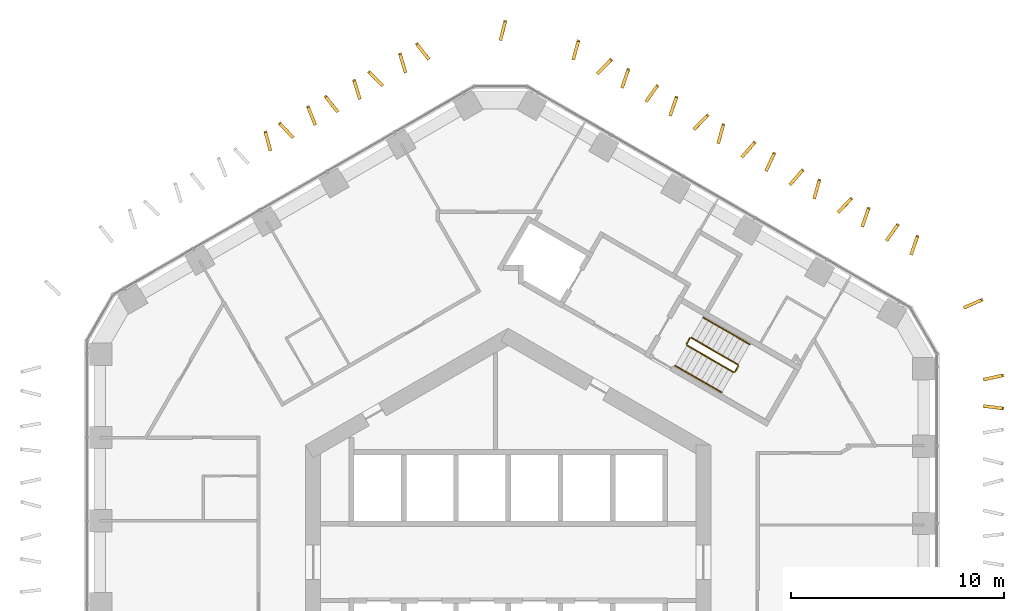
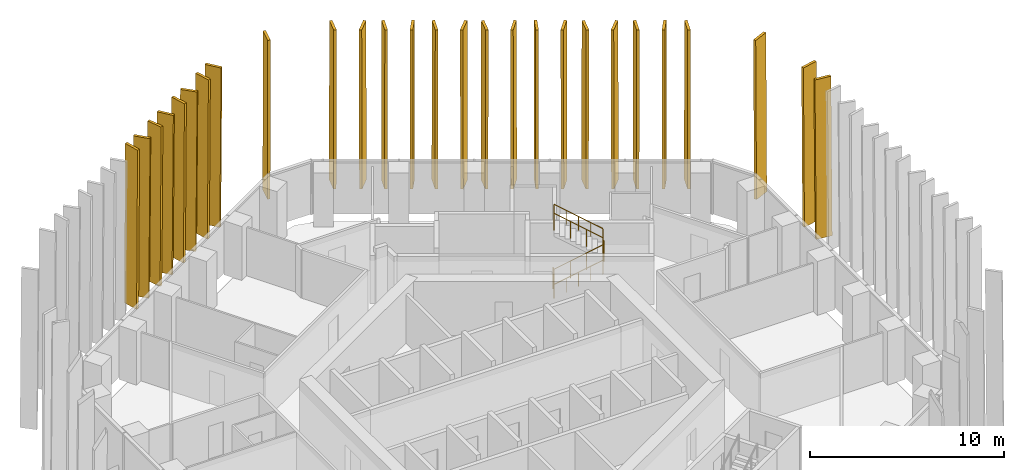
# One storey, part 19 of 19: 27 shading devices, 8 railings.
"""IFC4 building model written with IfcOpenShell, lengths in metres."""

from ifc_helpers import new_model, si_unit, direction, frame, origin, origin_2d, place, context, subcontext, project, spatial, polyline, circle, outline, extrude, material, layer, layer_set, type_object, element, save


model = new_model("IFC4")

# Units and contexts
model_context = context("Model", 3, precision=1e-05, world=origin(), true_north=direction((0.0, 1.0)))
body_context = subcontext(model_context, "Body", "Model", "MODEL_VIEW")
ifc_project = project(units=[si_unit("LENGTHUNIT", "METRE"), si_unit("AREAUNIT", "SQUARE_METRE"), si_unit("VOLUMEUNIT", "CUBIC_METRE"), si_unit("PLANEANGLEUNIT", "RADIAN"), si_unit("MASSUNIT", "GRAM", prefix="KILO")], contexts=[model_context])

# Site, building, storey
site_placement = place(None, origin())
site = spatial("IfcSite", under=ifc_project, at=site_placement, CompositionType="ELEMENT")
building_placement = place(site_placement, origin())
building = spatial("IfcBuilding", under=site, at=building_placement, Name="Ayvan Gate Tower", CompositionType="ELEMENT")
storey_placement = place(building_placement, frame((0.0, 0.0, 103.5)))
storey = spatial("IfcBuildingStorey", under=building, at=storey_placement, Name="L27", CompositionType="ELEMENT", Elevation=103.5)

# Shading devices
ifc_material_1 = material(Name="Bronze anodised aluminium", Category="aluminium")
ifc_layer = layer(ifc_material_1, 0.14990234375)
ifc_layer_set = layer_set([ifc_layer], Name="Bronze anodised aluminium")
shading_device_type = type_object("IfcShadingDeviceType", Name="Bronze fin 900 x 150", PredefinedType="USERDEFINED", material=ifc_layer_set)
shading_device_1_placement = place(storey_placement, frame((-3.698486328125, 23.6748046875, 0.0), z_axis=(0.784573636963, 0.620035631839, 0.00015307429), x_axis=(-0.620035639102, 0.784573646157, -1.6292e-08)))
element("IfcShadingDevice", 1, at=shading_device_1_placement, inside=storey, type_object=shading_device_type, Name="Bronze fin FG09.1.1", ObjectType="FIN", PredefinedType="USERDEFINED", context=body_context, shape_type="SweptSolid", body=[
    extrude(outline(polyline([(0.0, 0.0), (0.8998458056720693, 0.0), (0.8292590414788401, 10.080078256607278), (-0.0707381400816818, 10.080078227283996), (0.0, 0.0)])), origin(), (0.0, 0.0, -1.0), 0.14990234375),
])
shading_device_2_placement = place(storey_placement, frame((-4.756591796875, 23.031005859375, 0.0), z_axis=(0.957515851246, 0.288380606283, 0.00014328965), x_axis=(-0.288380609244, 0.957515861076, 5.606e-09)))
element("IfcShadingDevice", 2, at=shading_device_2_placement, inside=storey, type_object=shading_device_type, Name="Bronze fin FG09.1.2", ObjectType="FIN", PredefinedType="USERDEFINED", context=body_context, shape_type="SweptSolid", body=[
    extrude(outline(polyline([(0.0, 0.0), (0.8998100735750674, 0.0), (0.8290970898573825, 10.08007822383392), (-0.07094675223845534, 10.080078233923599), (0.0, 0.0)])), origin(), (0.0, 0.0, -1.0), 0.14990234375),
])
shading_device_3_placement = place(storey_placement, frame((-5.86962890625, 22.43017578125, 0.0), z_axis=(0.707174585489, 0.707038955534, 0.000144900148), x_axis=(-0.707038962958, 0.707174592911, 1.3897e-08)))
element("IfcShadingDevice", 3, at=shading_device_3_placement, inside=storey, type_object=shading_device_type, Name="Bronze fin FG09.1.3", ObjectType="FIN", PredefinedType="USERDEFINED", context=body_context, shape_type="SweptSolid", body=[
    extrude(outline(polyline([(0.0, 0.0), (0.9001110205447481, -1.3552527156068805e-20), (0.8293312969829757, 10.08007821929602), (-0.07060710662745665, 10.080078244310638), (0.0, 0.0)])), origin(), (0.0, 0.0, -1.0), 0.14990234375),
])
shading_device_4_placement = place(storey_placement, frame((-6.902587890625, 21.792236328125, 0.0), z_axis=(0.956054197166, 0.293189953797, 0.000151901655), x_axis=(-0.29318995718, 0.956054208196, 0.0)))
element("IfcShadingDevice", 4, at=shading_device_4_placement, inside=storey, type_object=shading_device_type, Name="Bronze fin FG09.1.4", ObjectType="FIN", PredefinedType="USERDEFINED", context=body_context, shape_type="SweptSolid", body=[
    extrude(outline(polyline([(0.0, 0.0), (0.9001536688480408, 0.0), (0.8293770256098006, 10.080078241294432), (-0.07077664323824029, 10.080078241294432), (0.0, 0.0)])), origin(), (0.0, 0.0, -1.0), 0.14990234375),
])
shading_device_5_placement = place(storey_placement, frame((-7.972900390625, 21.20654296875, 0.0), z_axis=(0.787493544031, 0.616322883926, 0.000144425315), x_axis=(-0.616322890354, 0.787493552244, 0.0)))
element("IfcShadingDevice", 5, at=shading_device_5_placement, inside=storey, type_object=shading_device_type, Name="Bronze fin FG09.1.5", ObjectType="FIN", PredefinedType="USERDEFINED", context=body_context, shape_type="SweptSolid", body=[
    extrude(outline(polyline([(0.0, 0.0), (0.8999949680293663, 0.0), (0.82920915576321, 10.080078230128523), (-0.07078581226615635, 10.080078230128523), (0.0, 0.0)])), origin(), (0.0, 0.0, -1.0), 0.14990234375),
])
shading_device_6_placement = place(storey_placement, frame((-9.002197265625, 20.58740234375, 0.0), z_axis=(0.929891672294, 0.367833461969, 0.000148509077), x_axis=(-0.367833466025, 0.929891682548, 0.0)))
element("IfcShadingDevice", 6, at=shading_device_6_placement, inside=storey, type_object=shading_device_type, Name="Bronze fin FG09.1.6", ObjectType="FIN", PredefinedType="USERDEFINED", context=body_context, shape_type="SweptSolid", body=[
    extrude(outline(polyline([(0.0, 0.0), (0.9000124188731935, 6.776263578034403e-21), (0.8291916870075707, 10.080078236157789), (-0.07082073186562281, 10.080078236157789), (0.0, 0.0)])), origin(), (0.0, 0.0, -1.0), 0.14990234375),
])
shading_device_7_placement = place(storey_placement, frame((-10.07470703125, 20.0, 0.0), z_axis=(0.729131033404, 0.68437410613, 0.000137788518), x_axis=(-0.684374112627, 0.729131040325, 0.0)))
element("IfcShadingDevice", 7, at=shading_device_7_placement, inside=storey, type_object=shading_device_type, Name="Bronze fin FG09.1.7", ObjectType="FIN", PredefinedType="USERDEFINED", context=body_context, shape_type="SweptSolid", body=[
    extrude(outline(polyline([(0.0, 0.0), (0.9000439752325704, 0.0), (0.8293575124592303, 10.08007822068855), (-0.07068646277333998, 10.08007822068855), (0.0, 0.0)])), origin(), (0.0, 0.0, -1.0), 0.14990234375),
])
shading_device_8_placement = place(storey_placement, frame((-11.09130859375, 19.37060546875, 0.0), z_axis=(0.965937144845, 0.258776758265, 0.000146933881), x_axis=(-0.258776761059, 0.965937155273, 0.0)))
element("IfcShadingDevice", 8, at=shading_device_8_placement, inside=storey, type_object=shading_device_type, Name="Bronze fin FG09.1.8", ObjectType="FIN", PredefinedType="USERDEFINED", context=body_context, shape_type="SweptSolid", body=[
    extrude(outline(polyline([(0.0, 0.0), (0.9000427831971298, 0.0), (0.8294168219801795, 10.080078233812255), (-0.07062596121695032, 10.080078233812255), (0.0, 0.0)])), origin(), (0.0, 0.0, -1.0), 0.14990234375),
])
shading_device_9_placement = place(storey_placement, frame((22.332275390625, 7.23828125, 0.0), z_axis=(-0.120161253669, -0.992754375687, 0.000150567952), x_axis=(0.99275438694, -0.120161255031, 0.0)))
element("IfcShadingDevice", 9, at=shading_device_9_placement, inside=storey, type_object=shading_device_type, Name="Bronze fin FG09.9.78", ObjectType="FIN", PredefinedType="USERDEFINED", context=body_context, shape_type="SweptSolid", body=[
    extrude(outline(polyline([(0.0, 0.0), (0.900076292036263, -3.3881317890172014e-21), (0.8293128348809499, 10.080078239261255), (-0.07076345715531317, 10.080078239261255), (0.0, 0.0)])), origin(), (0.0, 0.0, -1.0), 0.14990234375),
])
shading_device_10_placement = place(storey_placement, frame((22.35693359375, 8.498291015625, 0.0), z_axis=(0.213223570814, -0.977003422759, 0.000144107591), x_axis=(0.977003432903, 0.213223573029, 4.168e-09)))
element("IfcShadingDevice", 10, at=shading_device_10_placement, inside=storey, type_object=shading_device_type, Name="Bronze fin FG09.9.79", ObjectType="FIN", PredefinedType="USERDEFINED", context=body_context, shape_type="SweptSolid", body=[
    extrude(outline(polyline([(0.0, 0.0), (0.8998493872767135, 0.0), (0.8291928142952542, 10.080078226210132), (-0.07089509921019535, 10.080078233712868), (0.0, 0.0)])), origin(), (0.0, 0.0, -1.0), 0.14990234375),
])
shading_device_11_placement = place(storey_placement, frame((21.452880859375, 11.884765625, 0.0), z_axis=(0.404060916951, -0.914732065767, 0.000152482571), x_axis=(0.914732076402, 0.404060921646, -1.892e-08)))
element("IfcShadingDevice", 11, at=shading_device_11_placement, inside=storey, type_object=shading_device_type, Name="Bronze fin FG09.10.80", ObjectType="FIN", PredefinedType="USERDEFINED", context=body_context, shape_type="SweptSolid", body=[
    extrude(outline(polyline([(0.0, 0.0), (0.899932439931201, 0.0), (0.829131722173627, 10.080078257872547), (-0.0708993654435226, 10.080078223817775), (0.0, 0.0)])), origin(), (0.0, 0.0, -1.0), 0.14990234375),
])
shading_device_12_placement = place(storey_placement, frame((18.978759765625, 14.4453125, 0.0), z_axis=(0.94527922392, -0.326262418704, 0.000151549702), x_axis=(0.326262422448, 0.945279234776, 1.9435e-08)))
element("IfcShadingDevice", 12, at=shading_device_12_placement, inside=storey, type_object=shading_device_type, Name="Bronze fin FG09.11.81", ObjectType="FIN", PredefinedType="USERDEFINED", context=body_context, shape_type="SweptSolid", body=[
    extrude(outline(polyline([(0.0, 0.0), (0.8997852260110981, -6.776263578034403e-21), (0.8290475815608748, 10.080078224643545), (-0.07081729836195363, 10.080078259619896), (0.0, 0.0)])), origin(), (0.0, 0.0, -1.0), 0.14990234375),
])
shading_device_13_placement = place(storey_placement, frame((17.833251953125, 15.08251953125, 0.0), z_axis=(0.815699137045, -0.578476358413, 0.000143458381), x_axis=(0.578476364368, 0.815699145438, -1.587e-08)))
element("IfcShadingDevice", 13, at=shading_device_13_placement, inside=storey, type_object=shading_device_type, Name="Bronze fin FG09.11.82", ObjectType="FIN", PredefinedType="USERDEFINED", context=body_context, shape_type="SweptSolid", body=[
    extrude(outline(polyline([(0.0, 0.0), (0.900072611212821, 6.776263578034403e-21), (0.8292388789910086, 10.080078241885925), (-0.07069250264066797, 10.080078213319105), (0.0, 0.0)])), origin(), (0.0, 0.0, -1.0), 0.14990234375),
])
shading_device_14_placement = place(storey_placement, frame((16.691650390625, 15.765869140625, 0.0), z_axis=(0.946088520911, -0.323908155977, 0.000130735106), x_axis=(0.323908158745, 0.946088528996, -5.745e-09)))
element("IfcShadingDevice", 14, at=shading_device_14_placement, inside=storey, type_object=shading_device_type, Name="Bronze fin FG09.11.83", ObjectType="FIN", PredefinedType="USERDEFINED", context=body_context, shape_type="SweptSolid", body=[
    extrude(outline(polyline([(0.0, 0.0), (0.8998430278690683, -6.776263578034403e-21), (0.8291879436931656, 10.080078215906003), (-0.07088606282067733, 10.080078205566256), (0.0, 0.0)])), origin(), (0.0, 0.0, -1.0), 0.14990234375),
])
shading_device_15_placement = place(storey_placement, frame((15.5517578125, 16.385009765625, 0.0), z_axis=(0.712376912749, -0.701797057609, 0.00015528464), x_axis=(0.70179706607, 0.712376921338, 0.0)))
element("IfcShadingDevice", 15, at=shading_device_15_placement, inside=storey, type_object=shading_device_type, Name="Bronze fin FG09.11.84", ObjectType="FIN", PredefinedType="USERDEFINED", context=body_context, shape_type="SweptSolid", body=[
    extrude(outline(polyline([(0.0, 0.0), (0.8999635755267725, 0.0), (0.8291935736095567, 10.080078246532073), (-0.07077000191721583, 10.080078246532073), (0.0, 0.0)])), origin(), (0.0, 0.0, -1.0), 0.14990234375),
])
shading_device_16_placement = place(storey_placement, frame((14.43212890625, 17.074951171875, 0.0), z_axis=(0.963564523413, -0.267475962862, 0.000136057396), x_axis=(0.267475965337, 0.963564532331, 0.0)))
element("IfcShadingDevice", 16, at=shading_device_16_placement, inside=storey, type_object=shading_device_type, Name="Bronze fin FG09.11.85", ObjectType="FIN", PredefinedType="USERDEFINED", context=body_context, shape_type="SweptSolid", body=[
    extrude(outline(polyline([(0.0, 0.0), (0.8999786427400962, 0.0), (0.829160418836018, 10.080078218299265), (-0.07081822390407821, 10.080078218299265), (0.0, 0.0)])), origin(), (0.0, 0.0, -1.0), 0.14990234375),
])
shading_device_17_placement = place(storey_placement, frame((13.3037109375, 17.68896484375, 0.0), z_axis=(0.755702501254, -0.654915037884, 0.000150837945), x_axis=(0.654915045336, 0.755702509849, -1.3402e-08)))
element("IfcShadingDevice", 17, at=shading_device_17_placement, inside=storey, type_object=shading_device_type, Name="Bronze fin FG09.11.86", ObjectType="FIN", PredefinedType="USERDEFINED", context=body_context, shape_type="SweptSolid", body=[
    extrude(outline(polyline([(0.0, 0.0), (0.8998038108816966, 0.0), (0.828957857076803, 10.080078250780794), (-0.07103045148796223, 10.080078226660635), (0.0, 0.0)])), origin(), (0.0, 0.0, -1.0), 0.14990234375),
])
shading_device_18_placement = place(storey_placement, frame((12.182861328125, 18.36083984375, 0.0), z_axis=(0.908443062478, -0.418008587423, 0.000151909214), x_axis=(0.418008592246, 0.90844307296, 0.0)))
element("IfcShadingDevice", 18, at=shading_device_18_placement, inside=storey, type_object=shading_device_type, Name="Bronze fin FG09.11.87", ObjectType="FIN", PredefinedType="USERDEFINED", context=body_context, shape_type="SweptSolid", body=[
    extrude(outline(polyline([(0.0, 0.0), (0.9000310283186577, -6.776263578034403e-21), (0.8291836813319071, 10.080078241306003), (-0.07084734698675049, 10.080078241306003), (0.0, 0.0)])), origin(), (0.0, 0.0, -1.0), 0.14990234375),
])
shading_device_19_placement = place(storey_placement, frame((11.05419921875, 18.987548828125, 0.0), z_axis=(0.755008368319, -0.655715136984, 0.000151324292), x_axis=(0.655715144492, 0.755008376963, 0.0)))
element("IfcShadingDevice", 19, at=shading_device_19_placement, inside=storey, type_object=shading_device_type, Name="Bronze fin FG09.11.88", ObjectType="FIN", PredefinedType="USERDEFINED", context=body_context, shape_type="SweptSolid", body=[
    extrude(outline(polyline([(0.0, 0.0), (0.899914994463948, -1.3552527156068805e-20), (0.8290675202884318, 10.080078240412066), (-0.07084747417551619, 10.080078240412066), (0.0, 0.0)])), origin(), (0.0, 0.0, -1.0), 0.14990234375),
])
shading_device_20_placement = place(storey_placement, frame((9.932861328125, 19.67236328125, 0.0), z_axis=(0.963644094799, -0.267189143808, 0.000141384239), x_axis=(0.267189146478, 0.963644104431, 5.123e-09)))
element("IfcShadingDevice", 20, at=shading_device_20_placement, inside=storey, type_object=shading_device_type, Name="Bronze fin FG09.11.89", ObjectType="FIN", PredefinedType="USERDEFINED", context=body_context, shape_type="SweptSolid", body=[
    extrude(outline(polyline([(0.0, 0.0), (0.9001486358212115, 0.0), (0.8293308749141621, 10.080078221499303), (-0.07058249623311609, 10.080078230720835), (0.0, 0.0)])), origin(), (0.0, 0.0, -1.0), 0.14990234375),
])
shading_device_21_placement = place(storey_placement, frame((8.802978515625, 20.281494140625, 0.0), z_axis=(0.712712836828, -0.70145590715, 0.000150151348), x_axis=(0.701455915059, 0.71271284486, -1.4286e-08)))
element("IfcShadingDevice", 21, at=shading_device_21_placement, inside=storey, type_object=shading_device_type, Name="Bronze fin FG09.11.90", ObjectType="FIN", PredefinedType="USERDEFINED", context=body_context, shape_type="SweptSolid", body=[
    extrude(outline(polyline([(0.0, 0.0), (0.899966220651943, 0.0), (0.8291968322637048, 10.08007825047582), (-0.07094339054762802, 10.080078224759333), (0.0, 0.0)])), origin(), (0.0, 0.0, -1.0), 0.14990234375),
])
shading_device_22_placement = place(storey_placement, frame((7.68408203125, 20.96630859375, 0.0), z_axis=(0.945991107445, -0.324192536105, 0.000155462627), x_axis=(0.324192540022, 0.945991118877, 0.0)))
element("IfcShadingDevice", 22, at=shading_device_22_placement, inside=storey, type_object=shading_device_type, Name="Bronze fin FG09.11.91", ObjectType="FIN", PredefinedType="USERDEFINED", context=body_context, shape_type="SweptSolid", body=[
    extrude(outline(polyline([(0.0, 0.0), (0.8999221476685185, 0.0), (0.829187567996464, 10.080078246810833), (-0.07073457967205457, 10.080078246810833), (0.0, 0.0)])), origin(), (0.0, 0.0, -1.0), 0.14990234375),
])
shading_device_23_placement = place(storey_placement, frame((6.5576171875, 21.592529296875, 0.0), z_axis=(0.814914029766, -0.579581832422, 0.00015367703), x_axis=(0.579581839264, 0.81491403939, 1.6988e-08)))
element("IfcShadingDevice", 23, at=shading_device_23_placement, inside=storey, type_object=shading_device_type, Name="Bronze fin FG09.11.92", ObjectType="FIN", PredefinedType="USERDEFINED", context=body_context, shape_type="SweptSolid", body=[
    extrude(outline(polyline([(0.0, 0.0), (0.8998995563955714, 1.3552527156068805e-20), (0.8290641247600956, 10.080078229944775), (-0.07097693110795225, 10.08007826052178), (0.0, 0.0)])), origin(), (0.0, 0.0, -1.0), 0.14990234375),
])
shading_device_24_placement = place(storey_placement, frame((5.42529296875, 22.27001953125, 0.0), z_axis=(0.944690579706, -0.32796293205, 0.000154326015), x_axis=(0.327962935954, 0.944690590956, 6.864e-09)))
element("IfcShadingDevice", 24, at=shading_device_24_placement, inside=storey, type_object=shading_device_type, Name="Bronze fin FG09.11.93", ObjectType="FIN", PredefinedType="USERDEFINED", context=body_context, shape_type="SweptSolid", body=[
    extrude(outline(polyline([(0.0, 0.0), (0.9001134076824862, -1.3552527156068805e-20), (0.8292931406241704, 10.080078239343928), (-0.0705896297070084, 10.080078251699085), (0.0, 0.0)])), origin(), (0.0, 0.0, -1.0), 0.14990234375),
])
shading_device_25_placement = place(storey_placement, frame((4.27587890625, 22.895263671875, 0.0), z_axis=(0.713317393232, -0.700841119434, 0.000147725018), x_axis=(0.700841127081, 0.713317401015, 0.0)))
element("IfcShadingDevice", 25, at=shading_device_25_placement, inside=storey, type_object=shading_device_type, Name="Bronze fin FG09.11.94", ObjectType="FIN", PredefinedType="USERDEFINED", context=body_context, shape_type="SweptSolid", body=[
    extrude(outline(polyline([(0.0, 0.0), (0.9001460539669603, 1.3552527156068805e-20), (0.8292040649925845, 10.080078234987166), (-0.07094198897437587, 10.080078234987166), (0.0, 0.0)])), origin(), (0.0, 0.0, -1.0), 0.14990234375),
])
shading_device_26_placement = place(storey_placement, frame((3.137451171875, 23.595947265625, 0.0), z_axis=(0.963758448151, -0.266776367508, 0.000152828915), x_axis=(0.266776370627, 0.963758459405, -1.9976e-08)))
element("IfcShadingDevice", 26, at=shading_device_26_placement, inside=storey, type_object=shading_device_type, Name="Bronze fin FG09.11.95", ObjectType="FIN", PredefinedType="USERDEFINED", context=body_context, shape_type="SweptSolid", body=[
    extrude(outline(polyline([(0.0, 0.0), (0.900083436270421, 6.776263578034403e-21), (0.8292008943753699, 10.0800782592824), (-0.07081741094519106, 10.08007822332419), (0.0, 0.0)])), origin(), (0.0, 0.0, -1.0), 0.14990234375),
])
shading_device_27_placement = place(storey_placement, frame((-0.275634765625, 24.510009765625, 0.0), z_axis=(0.969436373233, -0.245342809063, 0.000155864474), x_axis=(0.24534281204, 0.96943638501, 2.0493e-08)))
element("IfcShadingDevice", 27, at=shading_device_27_placement, inside=storey, type_object=shading_device_type, Name="Bronze fin FG09.12.96", ObjectType="FIN", PredefinedType="USERDEFINED", context=body_context, shape_type="SweptSolid", body=[
    extrude(outline(polyline([(0.0, 0.0), (0.9000379741474963, 0.0), (0.8291559579866031, 10.080078230449082), (-0.07094191430836386, 10.080078267340127), (0.0, 0.0)])), origin(), (0.0, 0.0, -1.0), 0.14990234375),
])

# Railings
ifc_material_2 = material(Name="Stainless steel balustrade", Category="steel")
railing_type_1 = type_object("IfcRailingType", Name="RL-GUARD-1100", PredefinedType="GUARDRAIL", material=ifc_material_2)
railing_1_placement = place(storey_placement, frame((8.381103515625, 10.16650390625, 0.169921875)))
element("IfcRailing", 28, at=railing_1_placement, inside=storey, type_object=railing_type_1, Name="L27 STS1 stair guard 1", PredefinedType="GUARDRAIL", context=body_context, shape_type="SweptSolid", body=[
    extrude(circle(Radius=0.02392578125, at=origin_2d()), frame((0.0, 0.0, 1.076171875), z_axis=(0.740261155115, -0.427395438142, 0.518986090067), x_axis=(0.500004791531, 0.866022637375, 0.0)), (0.0, 0.0, 1.0), 2.947998046875),
    extrude(circle(Radius=0.02099609375, at=origin_2d()), origin(), (0.0, 0.0, 1.0), 1.052001953125),
    extrude(circle(Radius=0.02099609375, at=origin_2d()), frame((0.7275390625, -0.419921875, 0.510009765625)), (0.0, 0.0, 1.0), 1.052001953125),
    extrude(circle(Radius=0.02099609375, at=origin_2d()), frame((1.454833984375, -0.840087890625, 1.02001953125)), (0.0, 0.0, 1.0), 1.052001953125),
    extrude(circle(Radius=0.02099609375, at=origin_2d()), frame((2.182373046875, -1.260009765625, 1.530029296875)), (0.0, 0.0, 1.0), 1.052001953125),
])
railing_2_placement = place(storey_placement, frame((10.6318359375, 8.9248046875, 1.699951171875)))
element("IfcRailing", 29, at=railing_2_placement, inside=storey, type_object=railing_type_1, Name="L27 STS1 stair guard 2", PredefinedType="GUARDRAIL", context=body_context, shape_type="SweptSolid", body=[
    extrude(circle(Radius=0.02392578125, at=origin_2d()), frame((0.0, 0.0, 1.076171875), z_axis=(0.499949632511, 0.866054481515, 0.0), x_axis=(-0.866054481515, 0.499949632511, 0.0)), (0.0, 0.0, 1.0), 0.31005859375),
    extrude(circle(Radius=0.02099609375, at=origin_2d()), origin(), (0.0, 0.0, 1.0), 1.052001953125),
    extrude(circle(Radius=0.02099609375, at=origin_2d()), frame((0.155029296875, 0.2685546875, 0.0)), (0.0, 0.0, 1.0), 1.052001953125),
])
railing_3_placement = place(storey_placement, frame((10.7685546875, 9.261474609375, 1.8701171875)))
element("IfcRailing", 30, at=railing_3_placement, inside=storey, type_object=railing_type_1, Name="L27 STS1 stair guard 3", PredefinedType="GUARDRAIL", context=body_context, shape_type="SweptSolid", body=[
    extrude(circle(Radius=0.02392578125, at=origin_2d()), frame((0.0, 0.0, 1.076171875), z_axis=(-0.740292969978, 0.427413806696, 0.51892557891), x_axis=(-0.500004791531, -0.866022637375, 0.0)), (0.0, 0.0, 1.0), 2.947998046875),
    extrude(circle(Radius=0.02099609375, at=origin_2d()), origin(), (0.0, 0.0, 1.0), 1.052001953125),
    extrude(circle(Radius=0.02099609375, at=origin_2d()), frame((-0.7275390625, 0.419921875, 0.510009765625)), (0.0, 0.0, 1.0), 1.052001953125),
    extrude(circle(Radius=0.02099609375, at=origin_2d()), frame((-1.454833984375, 0.840087890625, 1.019775390625)), (0.0, 0.0, 1.0), 1.052001953125),
    extrude(circle(Radius=0.02099609375, at=origin_2d()), frame((-2.182373046875, 1.260009765625, 1.52978515625)), (0.0, 0.0, 1.0), 1.052001953125),
])
railing_4_placement = place(storey_placement, frame((8.36279296875, 10.23486328125, 0.0)))
element("IfcRailing", 31, at=railing_4_placement, inside=storey, type_object=railing_type_1, Name="L27 STS1 stair guard 4", PredefinedType="GUARDRAIL", context=body_context, shape_type="SweptSolid", body=[
    extrude(circle(Radius=0.02392578125, at=origin_2d()), frame((0.0, 0.0, 1.076171875), z_axis=(0.500290723946, 0.86585748916, 0.0), x_axis=(-0.86585748916, 0.500290723946, 0.0)), (0.0, 0.0, 1.0), 0.309814453125),
    extrude(circle(Radius=0.02099609375, at=origin_2d()), origin(), (0.0, 0.0, 1.0), 1.052001953125),
    extrude(circle(Radius=0.02099609375, at=origin_2d()), frame((0.155029296875, 0.268310546875, 0.0)), (0.0, 0.0, 1.0), 1.052001953125),
])
railing_type_2 = type_object("IfcRailingType", Name="RL-HANDRAIL-900", PredefinedType="HANDRAIL", material=ifc_material_2)
railing_5_placement = place(storey_placement, frame((7.8310546875, 9.2138671875, 0.169921875)))
element("IfcRailing", 32, at=railing_5_placement, inside=storey, type_object=railing_type_2, Name="L27 STS1 stair handrail 1", PredefinedType="HANDRAIL", context=body_context, shape_type="SweptSolid", body=[
    extrude(circle(Radius=0.02392578125, at=origin_2d()), frame((0.0, 0.0, 0.8759765625), z_axis=(0.740292964666, -0.42728318766, 0.519033143459), x_axis=(0.499890179513, 0.866088799389, 0.0)), (0.0, 0.0, 1.0), 1.47412109375),
    extrude(circle(Radius=0.02099609375, at=origin_2d()), origin(), (0.0, 0.0, 1.0), 0.851806640625),
    extrude(circle(Radius=0.02099609375, at=origin_2d()), frame((0.545654296875, -0.31494140625, 0.382568359375)), (0.0, 0.0, 1.0), 0.851806640625),
    extrude(circle(Radius=0.02099609375, at=origin_2d()), frame((1.09130859375, -0.6298828125, 0.76513671875)), (0.0, 0.0, 1.0), 0.851806640625),
])
railing_6_placement = place(storey_placement, frame((8.92236328125, 8.583984375, 0.93505859375)))
element("IfcRailing", 33, at=railing_6_placement, inside=storey, type_object=railing_type_2, Name="L27 STS1 stair handrail 2", PredefinedType="HANDRAIL", context=body_context, shape_type="SweptSolid", body=[
    extrude(circle(Radius=0.02392578125, at=origin_2d()), frame((0.0, 0.0, 0.8759765625), z_axis=(0.740229329464, -0.427507697325, 0.518939021976), x_axis=(0.50011940292, 0.865956455501, 0.0)), (0.0, 0.0, 1.0), 1.473876953125),
    extrude(circle(Radius=0.02099609375, at=origin_2d()), origin(), (0.0, 0.0, 1.0), 0.851806640625),
    extrude(circle(Radius=0.02099609375, at=origin_2d()), frame((0.54541015625, -0.31494140625, 0.38232421875)), (0.0, 0.0, 1.0), 0.851806640625),
    extrude(circle(Radius=0.02099609375, at=origin_2d()), frame((1.091064453125, -0.630126953125, 0.764892578125)), (0.0, 0.0, 1.0), 0.851806640625),
])
railing_7_placement = place(storey_placement, frame((11.318603515625, 10.214111328125, 1.8701171875)))
element("IfcRailing", 34, at=railing_7_placement, inside=storey, type_object=railing_type_2, Name="L27 STS1 stair handrail 3", PredefinedType="HANDRAIL", context=body_context, shape_type="SweptSolid", body=[
    extrude(circle(Radius=0.02392578125, at=origin_2d()), frame((0.0, 0.0, 0.8759765625), z_axis=(-0.740304193401, 0.427455284825, 0.518875399983), x_axis=(-0.500035496587, -0.86600490885, 0.0)), (0.0, 0.0, 1.0), 1.47412109375),
    extrude(circle(Radius=0.02099609375, at=origin_2d()), origin(), (0.0, 0.0, 1.0), 0.851806640625),
    extrude(circle(Radius=0.02099609375, at=origin_2d()), frame((-0.545654296875, 0.31494140625, 0.38232421875)), (0.0, 0.0, 1.0), 0.851806640625),
    extrude(circle(Radius=0.02099609375, at=origin_2d()), frame((-1.09130859375, 0.630126953125, 0.764892578125)), (0.0, 0.0, 1.0), 0.851806640625),
])
railing_8_placement = place(storey_placement, frame((10.227294921875, 10.84423828125, 2.635009765625)))
element("IfcRailing", 35, at=railing_8_placement, inside=storey, type_object=railing_type_2, Name="L27 STS1 stair handrail 4", PredefinedType="HANDRAIL", context=body_context, shape_type="SweptSolid", body=[
    extrude(circle(Radius=0.02392578125, at=origin_2d()), frame((0.0, 0.0, 0.8759765625), z_axis=(-0.740356597536, 0.427319915356, 0.518912129772), x_axis=(-0.499890179513, -0.866088799389, 0.0)), (0.0, 0.0, 1.0), 1.47412109375),
    extrude(circle(Radius=0.02099609375, at=origin_2d()), origin(), (0.0, 0.0, 1.0), 0.851806640625),
    extrude(circle(Radius=0.02099609375, at=origin_2d()), frame((-0.545654296875, 0.31494140625, 0.38232421875)), (0.0, 0.0, 1.0), 0.851806640625),
    extrude(circle(Radius=0.02099609375, at=origin_2d()), frame((-1.09130859375, 0.6298828125, 0.764892578125)), (0.0, 0.0, 1.0), 0.851806640625),
])

save(model, "model.ifc")
